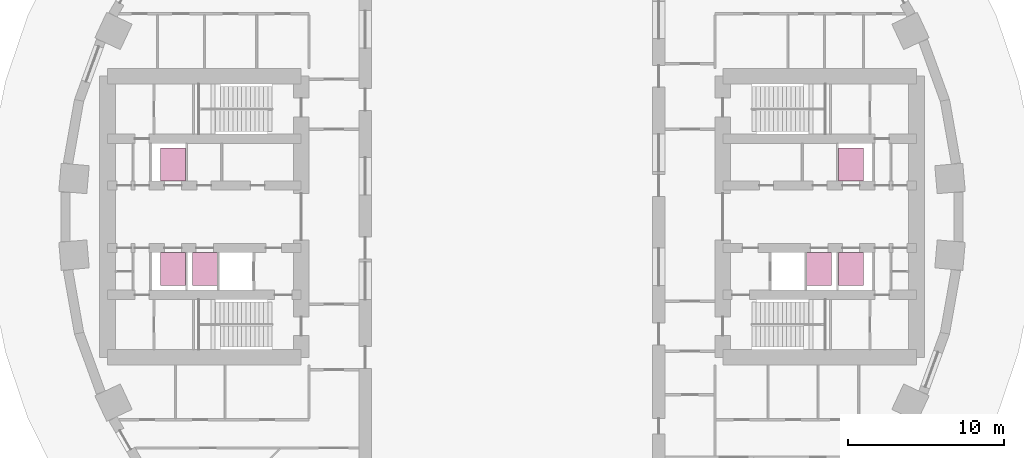
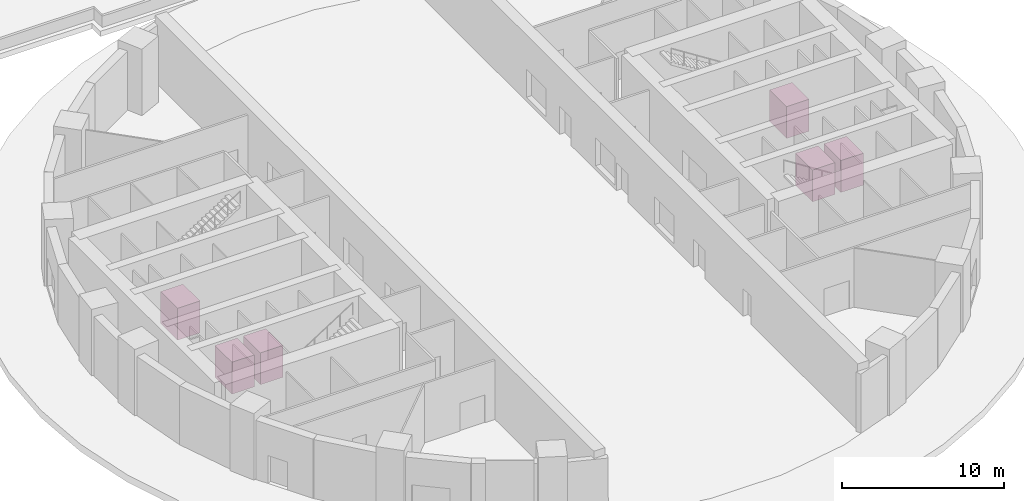
# One storey, part 10 of 10: 6 transport elements.
"""IFC4 building model written with IfcOpenShell, lengths in metres."""

from ifc_helpers import new_model, si_unit, direction, frame, origin, origin_2d, place, context, subcontext, project, spatial, rectangle, extrude, material, type_object, element, save


model = new_model("IFC4")

# Units and contexts
model_context = context("Model", 3, precision=1e-05, world=origin(), true_north=direction((0.0, 1.0)))
body_context = subcontext(model_context, "Body", "Model", "MODEL_VIEW")
ifc_project = project(units=[si_unit("LENGTHUNIT", "METRE"), si_unit("AREAUNIT", "SQUARE_METRE"), si_unit("VOLUMEUNIT", "CUBIC_METRE"), si_unit("PLANEANGLEUNIT", "RADIAN"), si_unit("MASSUNIT", "GRAM", prefix="KILO")], contexts=[model_context])

# Site, building, storey
site_placement = place(None, origin())
site = spatial("IfcSite", under=ifc_project, at=site_placement, CompositionType="ELEMENT")
building_placement = place(site_placement, origin())
building = spatial("IfcBuilding", under=site, at=building_placement, Name="Saqina Gate Tower", CompositionType="ELEMENT")
storey_placement = place(building_placement, origin())
storey = spatial("IfcBuildingStorey", under=building, at=storey_placement, Name="L00", CompositionType="ELEMENT", Elevation=0.0)

# Transport elements
ifc_material = material(Name="Stainless steel", Category="steel")
transport_element_type = type_object("IfcTransportElementType", Name="PASSENGER LIFT", PredefinedType="ELEVATOR", material=ifc_material)
for number, where, z_axis, x_axis, name in (
    (1, (21.699951171875, 3.35009765625, 0.0), (0.0, 0.0, 1.0), (1.0, 0.0, 0.0), "PASSENGER LIFT LR1"),
    (2, (21.699951171875, -3.35009765625, 0.0), (0.0, 0.0, 1.0), (1.0, 0.0, 0.0), "PASSENGER LIFT LR2"),
    (3, (19.669921875, -3.35009765625, 0.0), (0.0, 0.0, 1.0), (1.0, 0.0, 0.0), "PASSENGER LIFT LR3"),
    (4, (-21.699951171875, 3.35009765625, 0.0), (0.0, 0.0, 1.0), (1.0, 0.0, 0.0), "PASSENGER LIFT LR4"),
    (5, (-21.699951171875, -3.35009765625, 0.0), (0.0, 0.0, 1.0), (1.0, 0.0, 0.0), "PASSENGER LIFT LR5"),
    (6, (-19.669921875, -3.35009765625, 0.0), (0.0, 0.0, 1.0), (1.0, 0.0, 0.0), "PASSENGER LIFT LR6"),
):
    element("IfcTransportElement", number, at=place(storey_placement, frame(where, z_axis=z_axis, x_axis=x_axis)), inside=storey, type_object=transport_element_type, Name=name, PredefinedType="ELEVATOR", context=body_context, shape_type="SweptSolid", body=[
        extrude(rectangle(XDim=1.60009765625, YDim=2.10009765625, at=origin_2d()), origin(), (0.0, 0.0, 1.0), 2.39990234375),
    ])

save(model, "model.ifc")
